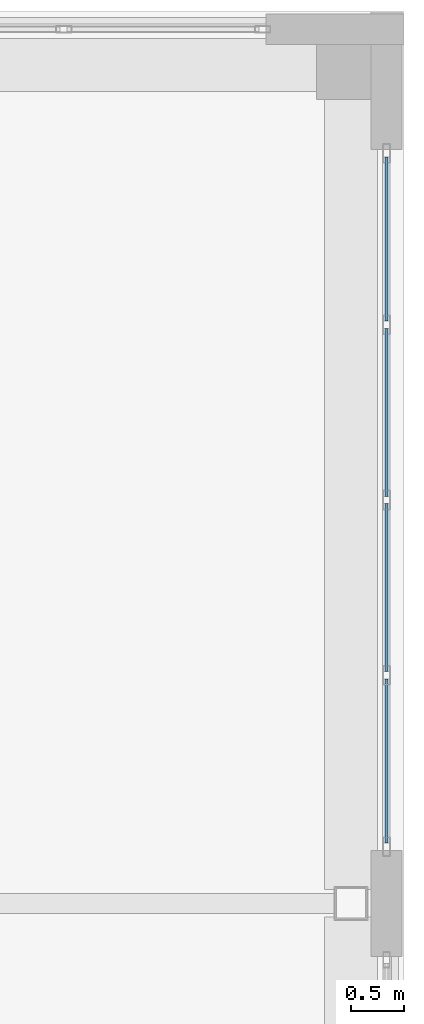
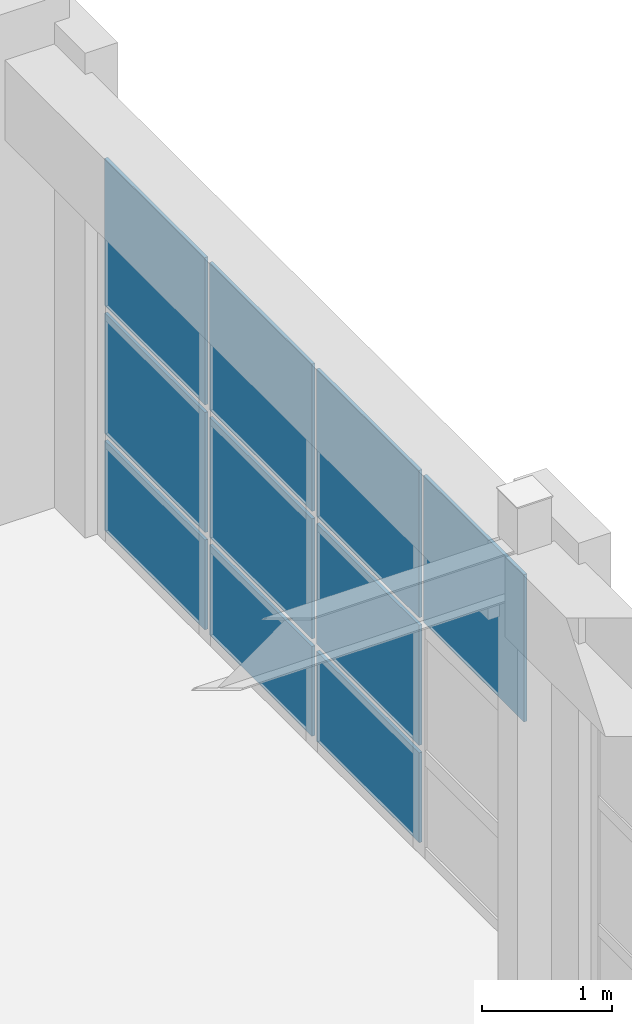
# One storey, part 99 of 123: 10 plates, 1 element without a shape of its own.
"""IFC4 building model written with IfcOpenShell, lengths in metres."""

from ifc_helpers import new_model, si_unit, direction, frame, origin, origin_2d, place, context, subcontext, project, spatial, rectangle, extrude, material, layer, layer_set, type_object, element, aggregate, save


model = new_model("IFC4")

# Units and contexts
model_context = context("Model", 3, precision=1e-05, world=origin(), true_north=direction((0.0, 1.0)))
body_context = subcontext(model_context, "Body", "Model", "MODEL_VIEW")
ifc_project = project(units=[si_unit("LENGTHUNIT", "METRE"), si_unit("AREAUNIT", "SQUARE_METRE"), si_unit("VOLUMEUNIT", "CUBIC_METRE"), si_unit("PLANEANGLEUNIT", "RADIAN"), si_unit("MASSUNIT", "GRAM", prefix="KILO")], contexts=[model_context])

# Site, building, storey
site_placement = place(None, origin())
site = spatial("IfcSite", under=ifc_project, at=site_placement, CompositionType="ELEMENT")
building_placement = place(site_placement, origin())
building = spatial("IfcBuilding", under=site, at=building_placement, Name="Quendrovan Civic Courthouse", CompositionType="ELEMENT")
storey_placement = place(building_placement, frame((0.0, 0.0, 5.39990234375)))
storey = spatial("IfcBuildingStorey", under=building, at=storey_placement, Name="L02", CompositionType="ELEMENT", Elevation=5.39990234375)

# Curtain wall, plates
ifc_material_1 = material(Name="Bronze anodised aluminium and low-E glass", Category="aluminium")
ifc_layer_1 = layer(ifc_material_1, 0.179931640625, Name="Bronze anodised aluminium and low-E glass")
ifc_layer_set_1 = layer_set([ifc_layer_1], Name="Bronze anodised aluminium and low-E glass")
curtain_wall_type = type_object("IfcCurtainWallType", Name="CW-U66x36", PredefinedType="USERDEFINED", material=ifc_layer_set_1)
curtain_wall_placement = place(storey_placement, origin())
curtain_wall = element("IfcCurtainWall", 1, at=curtain_wall_placement, inside=storey, type_object=curtain_wall_type, Name="L02 Unitised Hurricane Curtain Wall CW-096", ObjectType="UNITISED CURTAIN WALL", PredefinedType="USERDEFINED")
ifc_material_2 = material(Name="Laminated hurricane-impact low-E glass", Category="glass")
ifc_layer_2 = layer(ifc_material_2, 0.028076171875, Name="Laminated hurricane-impact low-E glass")
ifc_layer_set_2 = layer_set([ifc_layer_2], Name="Laminated hurricane-impact low-E glass")
plate_type = type_object("IfcPlateType", Name="CW-PNL-1", PredefinedType="CURTAIN_PANEL", material=ifc_layer_set_2)
plate_1_placement = place(storey_placement, frame((160.635009765625, 108.257568359375, 0.0703125), z_axis=(0.0, 0.0, 1.0), x_axis=(0.0, -1.0, 0.0)))
plate_1 = element("IfcPlate", 2, at=plate_1_placement, type_object=plate_type, Name="CW-096 panel 1.1", PredefinedType="CURTAIN_PANEL", context=body_context, shape_type="SweptSolid", body=[
    extrude(rectangle(XDim=1.544921875, YDim=0.028076171875, at=origin_2d()), origin(), (0.0, 0.0, 1.0), 0.844970703125),
])
plate_2_placement = place(storey_placement, frame((160.635009765625, 108.257568359375, 0.985107421875), z_axis=(0.0, 0.0, 1.0), x_axis=(0.0, -1.0, 0.0)))
plate_2 = element("IfcPlate", 3, at=plate_2_placement, type_object=plate_type, Name="CW-096 panel 1.2", PredefinedType="CURTAIN_PANEL", context=body_context, shape_type="SweptSolid", body=[
    extrude(rectangle(XDim=1.544921875, YDim=0.028076171875, at=origin_2d()), origin(), (0.0, 0.0, 1.0), 1.1298828125),
])
plate_3_placement = place(storey_placement, frame((160.635009765625, 108.257568359375, 2.18505859375), z_axis=(0.0, 0.0, 1.0), x_axis=(0.0, -1.0, 0.0)))
plate_3 = element("IfcPlate", 4, at=plate_3_placement, type_object=plate_type, Name="CW-096 panel 1.3", PredefinedType="CURTAIN_PANEL", context=body_context, shape_type="SweptSolid", body=[
    extrude(rectangle(XDim=1.544921875, YDim=0.028076171875, at=origin_2d()), origin(), (0.0, 0.0, 1.0), 1.385009765625),
])
plate_4_placement = place(storey_placement, frame((160.635009765625, 106.625, 0.0703125), z_axis=(0.0, 0.0, 1.0), x_axis=(0.0, -1.0, 0.0)))
plate_4 = element("IfcPlate", 5, at=plate_4_placement, type_object=plate_type, Name="CW-096 panel 2.1", PredefinedType="CURTAIN_PANEL", context=body_context, shape_type="SweptSolid", body=[
    extrude(rectangle(XDim=1.580078125, YDim=0.028076171875, at=origin_2d()), origin(), (0.0, 0.0, 1.0), 0.844970703125),
])
plate_5_placement = place(storey_placement, frame((160.635009765625, 106.625, 0.985107421875), z_axis=(0.0, 0.0, 1.0), x_axis=(0.0, -1.0, 0.0)))
plate_5 = element("IfcPlate", 6, at=plate_5_placement, type_object=plate_type, Name="CW-096 panel 2.2", PredefinedType="CURTAIN_PANEL", context=body_context, shape_type="SweptSolid", body=[
    extrude(rectangle(XDim=1.580078125, YDim=0.028076171875, at=origin_2d()), origin(), (0.0, 0.0, 1.0), 1.1298828125),
])
plate_6_placement = place(storey_placement, frame((160.635009765625, 106.625, 2.18505859375), z_axis=(0.0, 0.0, 1.0), x_axis=(0.0, -1.0, 0.0)))
plate_6 = element("IfcPlate", 7, at=plate_6_placement, type_object=plate_type, Name="CW-096 panel 2.3", PredefinedType="CURTAIN_PANEL", context=body_context, shape_type="SweptSolid", body=[
    extrude(rectangle(XDim=1.580078125, YDim=0.028076171875, at=origin_2d()), origin(), (0.0, 0.0, 1.0), 1.385009765625),
])
plate_7_placement = place(storey_placement, frame((160.635009765625, 104.97509765625, 0.0703125), z_axis=(0.0, 0.0, 1.0), x_axis=(0.0, -1.0, 0.0)))
plate_7 = element("IfcPlate", 8, at=plate_7_placement, type_object=plate_type, Name="CW-096 panel 3.1", PredefinedType="CURTAIN_PANEL", context=body_context, shape_type="SweptSolid", body=[
    extrude(rectangle(XDim=1.580078125, YDim=0.028076171875, at=origin_2d()), origin(), (0.0, 0.0, 1.0), 0.844970703125),
])
plate_8_placement = place(storey_placement, frame((160.635009765625, 104.97509765625, 0.985107421875), z_axis=(0.0, 0.0, 1.0), x_axis=(0.0, -1.0, 0.0)))
plate_8 = element("IfcPlate", 9, at=plate_8_placement, type_object=plate_type, Name="CW-096 panel 3.2", PredefinedType="CURTAIN_PANEL", context=body_context, shape_type="SweptSolid", body=[
    extrude(rectangle(XDim=1.580078125, YDim=0.028076171875, at=origin_2d()), origin(), (0.0, 0.0, 1.0), 1.1298828125),
])
plate_9_placement = place(storey_placement, frame((160.635009765625, 104.97509765625, 2.18505859375), z_axis=(0.0, 0.0, 1.0), x_axis=(0.0, -1.0, 0.0)))
plate_9 = element("IfcPlate", 10, at=plate_9_placement, type_object=plate_type, Name="CW-096 panel 3.3", PredefinedType="CURTAIN_PANEL", context=body_context, shape_type="SweptSolid", body=[
    extrude(rectangle(XDim=1.580078125, YDim=0.028076171875, at=origin_2d()), origin(), (0.0, 0.0, 1.0), 1.385009765625),
])
plate_10_placement = place(storey_placement, frame((160.635009765625, 103.342529296875, 2.18505859375), z_axis=(0.0, 0.0, 1.0), x_axis=(0.0, -1.0, 0.0)))
plate_10 = element("IfcPlate", 11, at=plate_10_placement, type_object=plate_type, Name="CW-096 panel 4.3", PredefinedType="CURTAIN_PANEL", context=body_context, shape_type="SweptSolid", body=[
    extrude(rectangle(XDim=1.544921875, YDim=0.028076171875, at=origin_2d()), origin(), (0.0, 0.0, 1.0), 1.385009765625),
])
aggregate(curtain_wall, [plate_1, plate_2, plate_3, plate_4, plate_5, plate_6, plate_7, plate_8, plate_9, plate_10])

save(model, "model.ifc")
